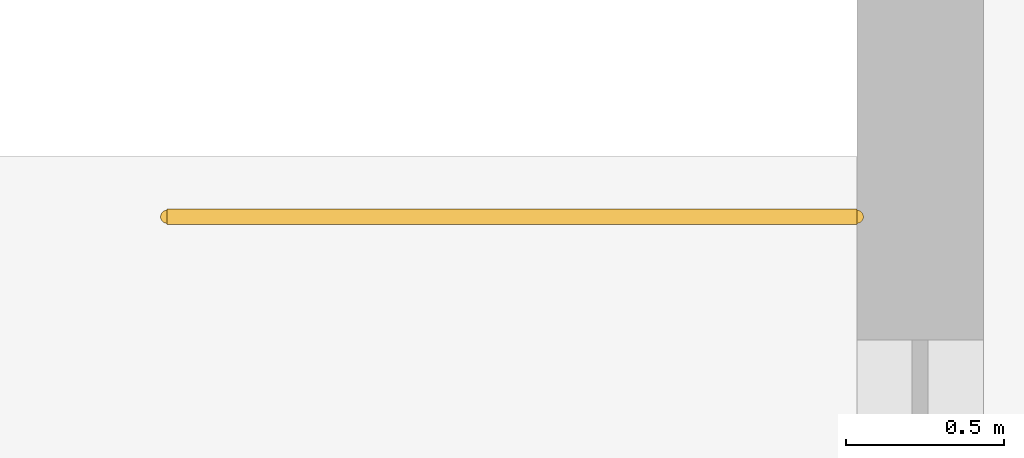
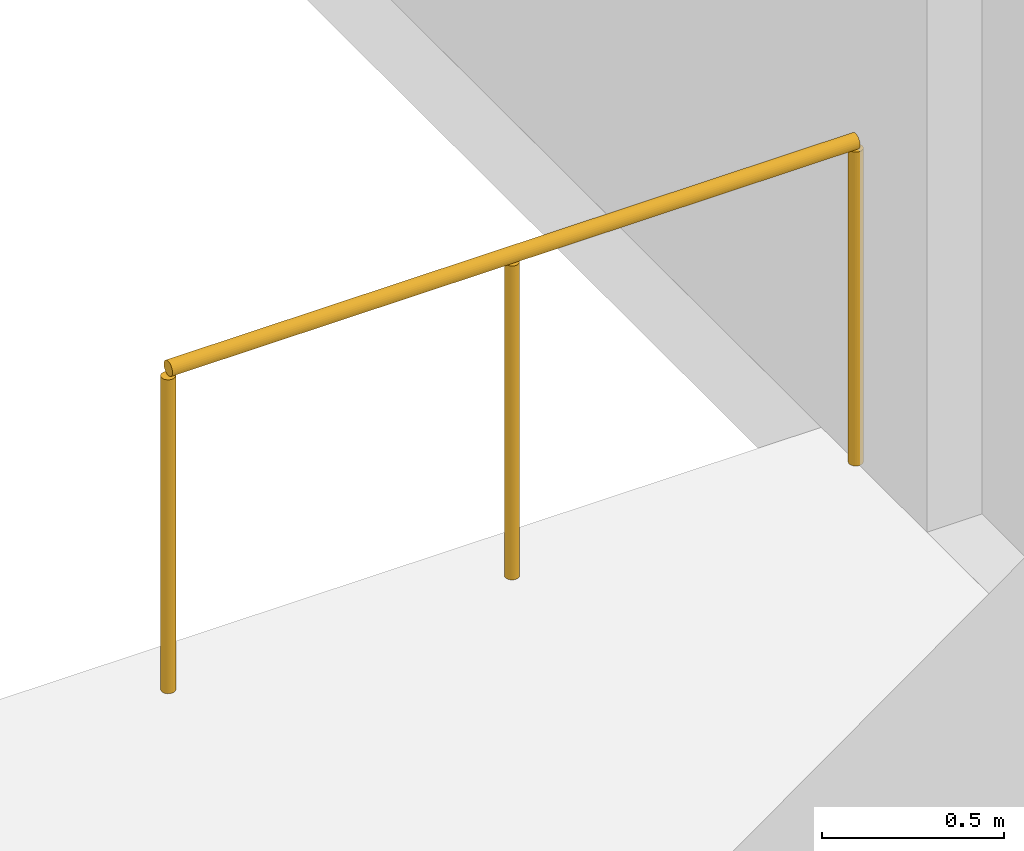
# One storey, part 41 of 45: 1 railing.
"""IFC4 building model written with IfcOpenShell, lengths in metres."""

from ifc_helpers import new_model, si_unit, direction, frame, origin, origin_2d, place, context, subcontext, project, spatial, circle, extrude, material, type_object, element, save


model = new_model("IFC4")

# Units and contexts
model_context = context("Model", 3, precision=1e-05, world=origin(), true_north=direction((0.0, 1.0)))
body_context = subcontext(model_context, "Body", "Model", "MODEL_VIEW")
ifc_project = project(units=[si_unit("LENGTHUNIT", "METRE"), si_unit("AREAUNIT", "SQUARE_METRE"), si_unit("VOLUMEUNIT", "CUBIC_METRE"), si_unit("PLANEANGLEUNIT", "RADIAN"), si_unit("MASSUNIT", "GRAM", prefix="KILO")], contexts=[model_context])

# Site, building, storey
site_placement = place(None, origin())
site = spatial("IfcSite", under=ifc_project, at=site_placement, CompositionType="ELEMENT")
building_placement = place(site_placement, origin())
building = spatial("IfcBuilding", under=site, at=building_placement, Name="Sefraquen Railside Congress Hotel", CompositionType="ELEMENT")
storey_placement = place(building_placement, frame((0.0, 0.0, 20.39990234375)))
storey = spatial("IfcBuildingStorey", under=building, at=storey_placement, Name="L04", CompositionType="ELEMENT", Elevation=20.39990234375)

# Railing
ifc_material = material(Name="Patinated wrought architectural bronze", Category="metal")
railing_type = type_object("IfcRailingType", Name="TRL-BAL-110", PredefinedType="BALUSTRADE", material=ifc_material)
railing_placement = place(storey_placement, frame((108.659912109375, 56.830078125, 0.0)))
element("IfcRailing", 1, at=railing_placement, inside=storey, type_object=railing_type, Name="L04 ST-M02 top well guard 1", PredefinedType="BALUSTRADE", context=body_context, shape_type="SweptSolid", body=[
    extrude(circle(Radius=0.02392578125, at=origin_2d()), frame((0.0, 0.0, 1.076171875), z_axis=(-1.0, 0.0, 0.0), x_axis=(0.0, -1.0, 0.0)), (0.0, 0.0, 1.0), 2.179931640625),
    extrude(circle(Radius=0.02099609375, at=origin_2d()), origin(), (0.0, 0.0, 1.0), 1.052001953125),
    extrude(circle(Radius=0.02099609375, at=origin_2d()), frame((-1.08984375, 0.0, 0.0)), (0.0, 0.0, 1.0), 1.052001953125),
    extrude(circle(Radius=0.02099609375, at=origin_2d()), frame((-2.179931640625, 0.0, 0.0)), (0.0, 0.0, 1.0), 1.052001953125),
])

save(model, "model.ifc")
